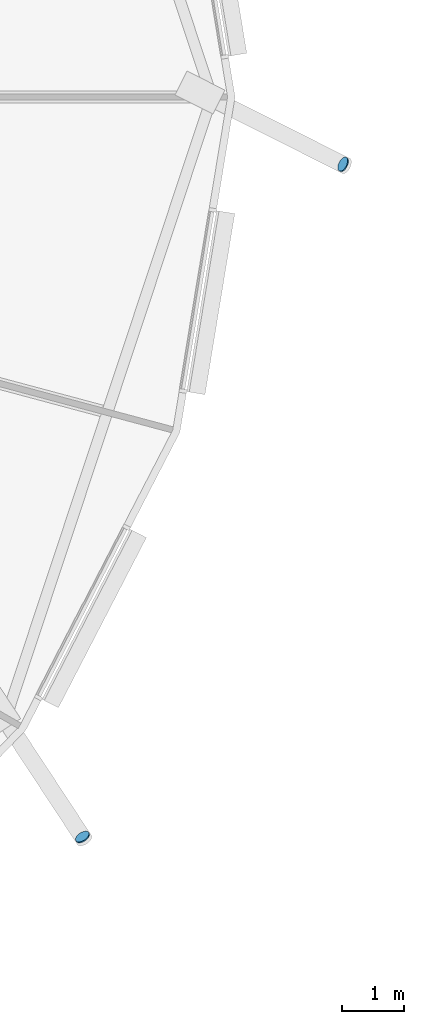
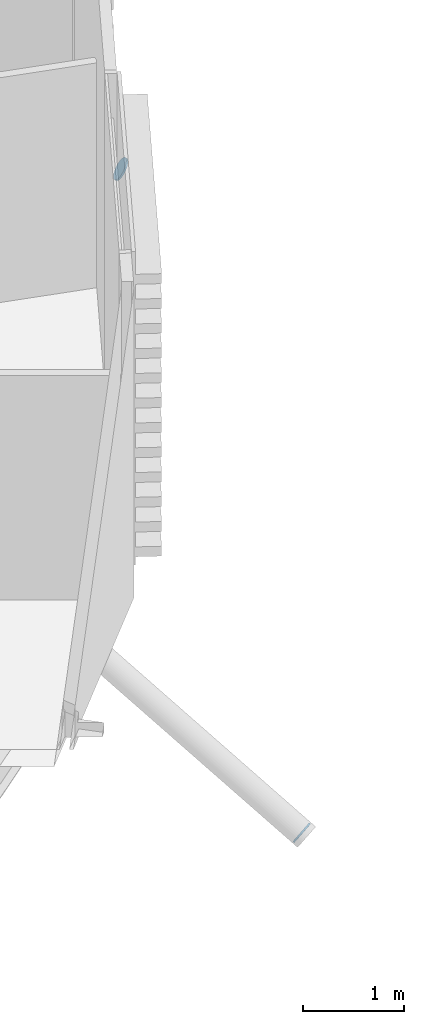
# One storey, part 28 of 41: 2 discrete accessories.
"""IFC4 building model written with IfcOpenShell, lengths in metres."""

from ifc_helpers import new_model, si_unit, direction, frame, origin, origin_2d, place, context, subcontext, project, spatial, circle, extrude, material, material_profile, profile_set, type_object, element, save


model = new_model("IFC4")

# Units and contexts
model_context = context("Model", 3, precision=1e-05, world=origin(), true_north=direction((0.0, 1.0)))
body_context = subcontext(model_context, "Body", "Model", "MODEL_VIEW")
ifc_project = project(units=[si_unit("LENGTHUNIT", "METRE"), si_unit("AREAUNIT", "SQUARE_METRE"), si_unit("VOLUMEUNIT", "CUBIC_METRE"), si_unit("PLANEANGLEUNIT", "RADIAN"), si_unit("MASSUNIT", "GRAM", prefix="KILO")], contexts=[model_context])

# Site, building, storey
site_placement = place(None, origin())
site = spatial("IfcSite", under=ifc_project, at=site_placement, CompositionType="ELEMENT")
building_placement = place(site_placement, origin())
building = spatial("IfcBuilding", under=site, at=building_placement, Name="Rimbun Link Towers", CompositionType="ELEMENT")
storey_placement = place(building_placement, frame((0.0, 0.0, 210.5)))
storey = spatial("IfcBuildingStorey", under=building, at=storey_placement, Name="L51", CompositionType="ELEMENT", Elevation=210.5)

# Discrete accessories
ifc_material = material(Name="Steel S355J2H", Category="steel")
ifc_material_profile = material_profile(ifc_material, circle(Radius=0.1240234375, at=origin_2d()), Name="PL D248")
ifc_profile_set = profile_set([ifc_material_profile], Name="Steel S355J2H")
discrete_accessory_type = type_object("IfcDiscreteAccessoryType", Name="Link foot sealing plate D248X20", PredefinedType="BRACKET", material=ifc_profile_set)
discrete_accessory_1_placement = place(storey_placement, frame((-8.820556640625, -1.091064453125, -2.17578125), z_axis=(0.764965869334, -0.382482934667, -0.518202685678), x_axis=(0.4472135955, 0.894427191, 0.0)))
element("IfcDiscreteAccessory", 1, at=discrete_accessory_1_placement, inside=storey, type_object=discrete_accessory_type, Name="Link foot sealing plate T1 L51 00", PredefinedType="BRACKET", context=body_context, shape_type="SweptSolid", body=[
    extrude(circle(Radius=0.1240234375, at=origin_2d()), origin(), (0.0, 0.0, 1.0), 0.019775390625),
])
discrete_accessory_2_placement = place(storey_placement, frame((-13.049072265625, -12.007080078125, -2.109375), z_axis=(0.462726972936, -0.706267485008, -0.535789126558), x_axis=(0.83646112958, 0.548026257311, 0.0)))
element("IfcDiscreteAccessory", 2, at=discrete_accessory_2_placement, inside=storey, type_object=discrete_accessory_type, Name="Link foot sealing plate T1 L51 22", PredefinedType="BRACKET", context=body_context, shape_type="SweptSolid", body=[
    extrude(circle(Radius=0.1240234375, at=origin_2d()), origin(), (0.0, 0.0, 1.0), 0.02001953125),
])

save(model, "model.ifc")
